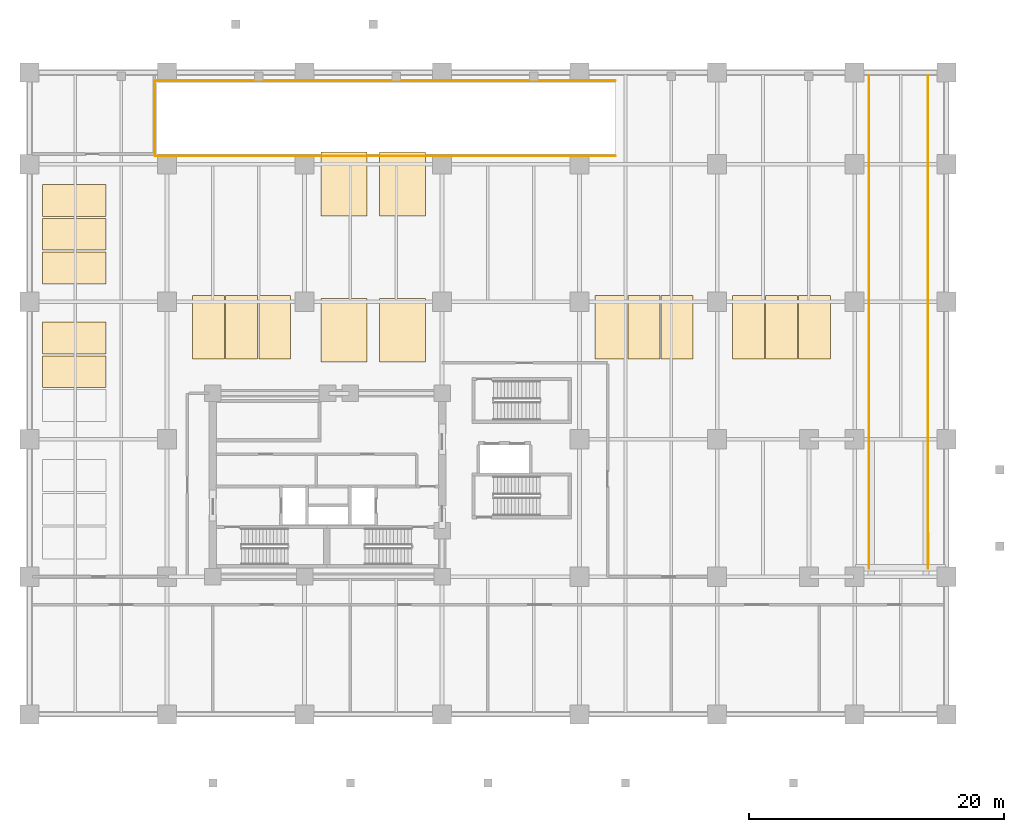
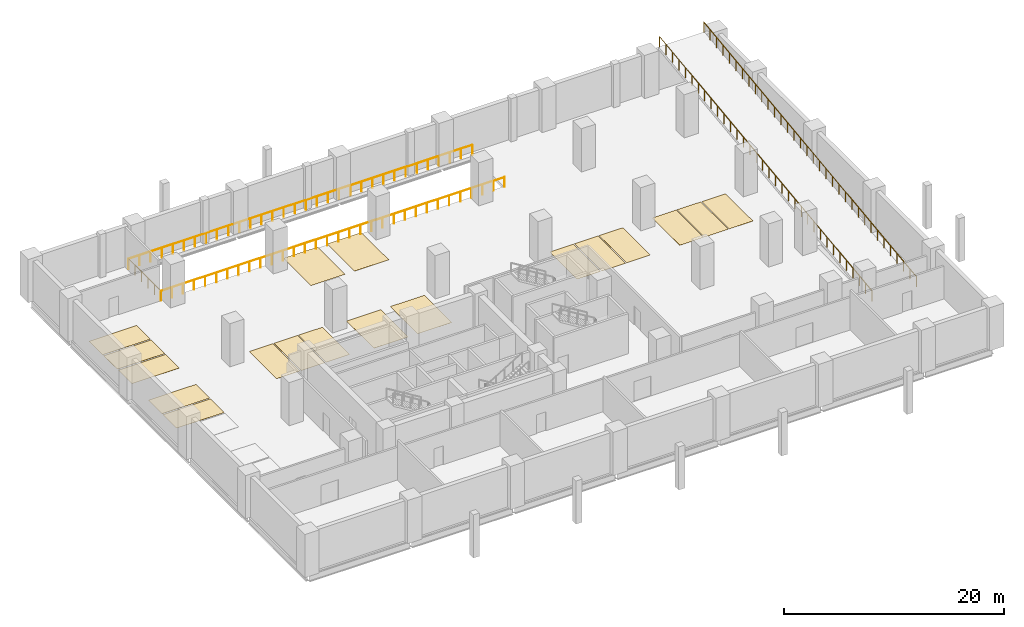
# One storey, part 8 of 8: 18 coverings, 5 railings.
"""IFC4 building model written with IfcOpenShell, lengths in metres."""

from ifc_helpers import new_model, si_unit, direction, frame, origin, origin_2d, place, context, subcontext, project, spatial, polyline, circle, outline, extrude, material, layer, layer_set, type_object, element, save


model = new_model("IFC4")

# Units and contexts
model_context = context("Model", 3, precision=1e-05, world=origin(), true_north=direction((0.0, 1.0)))
body_context = subcontext(model_context, "Body", "Model", "MODEL_VIEW")
ifc_project = project(units=[si_unit("LENGTHUNIT", "METRE"), si_unit("AREAUNIT", "SQUARE_METRE"), si_unit("VOLUMEUNIT", "CUBIC_METRE"), si_unit("PLANEANGLEUNIT", "RADIAN"), si_unit("MASSUNIT", "GRAM", prefix="KILO")], contexts=[model_context])

# Site, building, storey
site_placement = place(None, origin())
site = spatial("IfcSite", under=ifc_project, at=site_placement, CompositionType="ELEMENT")
building_placement = place(site_placement, origin())
building = spatial("IfcBuilding", under=site, at=building_placement, Name="Solnavia Interchange Tower", CompositionType="ELEMENT")
storey_placement = place(building_placement, frame((0.0, 0.0, -4.800048828125)))
storey = spatial("IfcBuildingStorey", under=building, at=storey_placement, Name="B01", CompositionType="ELEMENT", Elevation=-4.800048828125)

# Coverings
ifc_material_1 = material(Name="Epoxy Accessible Bay Marking", Category="polymer")
ifc_layer_1 = layer(ifc_material_1, 0.0048828125)
ifc_layer_set_1 = layer_set([ifc_layer_1], Name="Epoxy Accessible Bay Marking")
covering_type_1 = type_object("IfcCoveringType", Name="Covering-AccessibleBay-5", PredefinedType="FLOORING", material=ifc_layer_set_1)
covering_1_placement = place(storey_placement, origin())
element("IfcCovering", 1, at=covering_1_placement, inside=storey, type_object=covering_type_1, Name="PKA-B01-A01 Accessible parking bay", PredefinedType="FLOORING", context=body_context, shape_type="SweptSolid", body=[
    extrude(outline(polyline([(22.89990234375, 27.64990234375), (26.5, 27.64990234375), (26.5, 32.64990234375), (22.89990234375, 32.64990234375), (22.89990234375, 27.64990234375)])), origin(), (0.0, 0.0, 1.0), 0.005126953125),
])
covering_2_placement = place(storey_placement, origin())
element("IfcCovering", 2, at=covering_2_placement, inside=storey, type_object=covering_type_1, Name="PKA-B01-A02 Accessible parking bay", PredefinedType="FLOORING", context=body_context, shape_type="SweptSolid", body=[
    extrude(outline(polyline([(27.5, 27.64990234375), (31.10009765625, 27.64990234375), (31.10009765625, 32.64990234375), (27.5, 32.64990234375), (27.5, 27.64990234375)])), origin(), (0.0, 0.0, 1.0), 0.005126953125),
])
covering_3_placement = place(storey_placement, origin())
element("IfcCovering", 3, at=covering_3_placement, inside=storey, type_object=covering_type_1, Name="PKA-B01-A03 Accessible parking bay", PredefinedType="FLOORING", context=body_context, shape_type="SweptSolid", body=[
    extrude(outline(polyline([(22.89990234375, 39.14990234375), (26.5, 39.14990234375), (26.5, 44.14990234375), (22.89990234375, 44.14990234375), (22.89990234375, 39.14990234375)])), origin(), (0.0, 0.0, 1.0), 0.005126953125),
])
covering_4_placement = place(storey_placement, origin())
element("IfcCovering", 4, at=covering_4_placement, inside=storey, type_object=covering_type_1, Name="PKA-B01-A04 Accessible parking bay", PredefinedType="FLOORING", context=body_context, shape_type="SweptSolid", body=[
    extrude(outline(polyline([(27.5, 39.14990234375), (31.10009765625, 39.14990234375), (31.10009765625, 44.14990234375), (27.5, 44.14990234375), (27.5, 39.14990234375)])), origin(), (0.0, 0.0, 1.0), 0.005126953125),
])
ifc_material_2 = material(Name="Epoxy Car Park Bay Marking", Category="polymer")
ifc_layer_2 = layer(ifc_material_2, 0.0048828125)
ifc_layer_set_2 = layer_set([ifc_layer_2], Name="Epoxy Car Park Bay Marking")
covering_type_2 = type_object("IfcCoveringType", Name="Covering-ParkingBay-5", PredefinedType="FLOORING", material=ifc_layer_set_2)
covering_5_placement = place(storey_placement, origin())
element("IfcCovering", 5, at=covering_5_placement, inside=storey, type_object=covering_type_2, Name="PKB-B01-N01 Standard parking bay", PredefinedType="FLOORING", context=body_context, shape_type="SweptSolid", body=[
    extrude(outline(polyline([(12.800048828125, 27.89990234375), (15.300048828125, 27.89990234375), (15.300048828125, 32.89990234375), (12.800048828125, 32.89990234375), (12.800048828125, 27.89990234375)])), origin(), (0.0, 0.0, 1.0), 0.005126953125),
])
covering_6_placement = place(storey_placement, origin())
element("IfcCovering", 6, at=covering_6_placement, inside=storey, type_object=covering_type_2, Name="PKB-B01-N02 Standard parking bay", PredefinedType="FLOORING", context=body_context, shape_type="SweptSolid", body=[
    extrude(outline(polyline([(15.39990234375, 27.89990234375), (17.89990234375, 27.89990234375), (17.89990234375, 32.89990234375), (15.39990234375, 32.89990234375), (15.39990234375, 27.89990234375)])), origin(), (0.0, 0.0, 1.0), 0.005126953125),
])
covering_7_placement = place(storey_placement, origin())
element("IfcCovering", 7, at=covering_7_placement, inside=storey, type_object=covering_type_2, Name="PKB-B01-N03 Standard parking bay", PredefinedType="FLOORING", context=body_context, shape_type="SweptSolid", body=[
    extrude(outline(polyline([(18.0, 27.89990234375), (20.5, 27.89990234375), (20.5, 32.89990234375), (18.0, 32.89990234375), (18.0, 27.89990234375)])), origin(), (0.0, 0.0, 1.0), 0.005126953125),
])
covering_8_placement = place(storey_placement, origin())
element("IfcCovering", 8, at=covering_8_placement, inside=storey, type_object=covering_type_2, Name="PKB-B01-N04 Standard parking bay", PredefinedType="FLOORING", context=body_context, shape_type="SweptSolid", body=[
    extrude(outline(polyline([(44.39990234375, 27.89990234375), (46.89990234375, 27.89990234375), (46.89990234375, 32.89990234375), (44.39990234375, 32.89990234375), (44.39990234375, 27.89990234375)])), origin(), (0.0, 0.0, 1.0), 0.005126953125),
])
covering_9_placement = place(storey_placement, origin())
element("IfcCovering", 9, at=covering_9_placement, inside=storey, type_object=covering_type_2, Name="PKB-B01-N05 Standard parking bay", PredefinedType="FLOORING", context=body_context, shape_type="SweptSolid", body=[
    extrude(outline(polyline([(47.0, 27.89990234375), (49.5, 27.89990234375), (49.5, 32.89990234375), (47.0, 32.89990234375), (47.0, 27.89990234375)])), origin(), (0.0, 0.0, 1.0), 0.005126953125),
])
covering_10_placement = place(storey_placement, origin())
element("IfcCovering", 10, at=covering_10_placement, inside=storey, type_object=covering_type_2, Name="PKB-B01-N06 Standard parking bay", PredefinedType="FLOORING", context=body_context, shape_type="SweptSolid", body=[
    extrude(outline(polyline([(49.60009765625, 27.89990234375), (52.10009765625, 27.89990234375), (52.10009765625, 32.89990234375), (49.60009765625, 32.89990234375), (49.60009765625, 27.89990234375)])), origin(), (0.0, 0.0, 1.0), 0.005126953125),
])
covering_11_placement = place(storey_placement, origin())
element("IfcCovering", 11, at=covering_11_placement, inside=storey, type_object=covering_type_2, Name="PKB-B01-N07 Standard parking bay", PredefinedType="FLOORING", context=body_context, shape_type="SweptSolid", body=[
    extrude(outline(polyline([(55.199951171875, 27.89990234375), (57.699951171875, 27.89990234375), (57.699951171875, 32.89990234375), (55.199951171875, 32.89990234375), (55.199951171875, 27.89990234375)])), origin(), (0.0, 0.0, 1.0), 0.005126953125),
])
covering_12_placement = place(storey_placement, origin())
element("IfcCovering", 12, at=covering_12_placement, inside=storey, type_object=covering_type_2, Name="PKB-B01-N08 Standard parking bay", PredefinedType="FLOORING", context=body_context, shape_type="SweptSolid", body=[
    extrude(outline(polyline([(57.800048828125, 27.89990234375), (60.300048828125, 27.89990234375), (60.300048828125, 32.89990234375), (57.800048828125, 32.89990234375), (57.800048828125, 27.89990234375)])), origin(), (0.0, 0.0, 1.0), 0.005126953125),
])
covering_13_placement = place(storey_placement, origin())
element("IfcCovering", 13, at=covering_13_placement, inside=storey, type_object=covering_type_2, Name="PKB-B01-N09 Standard parking bay", PredefinedType="FLOORING", context=body_context, shape_type="SweptSolid", body=[
    extrude(outline(polyline([(60.39990234375, 27.89990234375), (62.89990234375, 27.89990234375), (62.89990234375, 32.89990234375), (60.39990234375, 32.89990234375), (60.39990234375, 27.89990234375)])), origin(), (0.0, 0.0, 1.0), 0.005126953125),
])
covering_14_placement = place(storey_placement, origin())
element("IfcCovering", 14, at=covering_14_placement, inside=storey, type_object=covering_type_2, Name="PKB-B01-W05 Standard parking bay", PredefinedType="FLOORING", context=body_context, shape_type="SweptSolid", body=[
    extrude(outline(polyline([(1.0, 25.64990234375), (6.0, 25.64990234375), (6.0, 28.14990234375), (1.0, 28.14990234375), (1.0, 25.64990234375)])), origin(), (0.0, 0.0, 1.0), 0.005126953125),
])
covering_15_placement = place(storey_placement, origin())
element("IfcCovering", 15, at=covering_15_placement, inside=storey, type_object=covering_type_2, Name="PKB-B01-W06 Standard parking bay", PredefinedType="FLOORING", context=body_context, shape_type="SweptSolid", body=[
    extrude(outline(polyline([(1.0, 28.300048828125), (6.0, 28.300048828125), (6.0, 30.800048828125), (1.0, 30.800048828125), (1.0, 28.300048828125)])), origin(), (0.0, 0.0, 1.0), 0.005126953125),
])
covering_16_placement = place(storey_placement, origin())
element("IfcCovering", 16, at=covering_16_placement, inside=storey, type_object=covering_type_2, Name="PKB-B01-W07 Standard parking bay", PredefinedType="FLOORING", context=body_context, shape_type="SweptSolid", body=[
    extrude(outline(polyline([(1.0, 33.800048828125), (6.0, 33.800048828125), (6.0, 36.300048828125), (1.0, 36.300048828125), (1.0, 33.800048828125)])), origin(), (0.0, 0.0, 1.0), 0.005126953125),
])
covering_17_placement = place(storey_placement, origin())
element("IfcCovering", 17, at=covering_17_placement, inside=storey, type_object=covering_type_2, Name="PKB-B01-W08 Standard parking bay", PredefinedType="FLOORING", context=body_context, shape_type="SweptSolid", body=[
    extrude(outline(polyline([(1.0, 36.449951171875), (6.0, 36.449951171875), (6.0, 38.949951171875), (1.0, 38.949951171875), (1.0, 36.449951171875)])), origin(), (0.0, 0.0, 1.0), 0.005126953125),
])
covering_18_placement = place(storey_placement, origin())
element("IfcCovering", 18, at=covering_18_placement, inside=storey, type_object=covering_type_2, Name="PKB-B01-W09 Standard parking bay", PredefinedType="FLOORING", context=body_context, shape_type="SweptSolid", body=[
    extrude(outline(polyline([(1.0, 39.10009765625), (6.0, 39.10009765625), (6.0, 41.60009765625), (1.0, 41.60009765625), (1.0, 39.10009765625)])), origin(), (0.0, 0.0, 1.0), 0.005126953125),
])

# Railings
ifc_material_3 = material(Name="Laminated Safety Glass & Stainless Steel", Category="steel")
railing_type = type_object("IfcRailingType", Name="Railing-TerraceGuard-1150", PredefinedType="GUARDRAIL", material=ifc_material_3)
railing_1_placement = place(storey_placement, frame((9.85009765625, 43.85009765625, 0.0)))
element("IfcRailing", 19, at=railing_1_placement, inside=storey, type_object=railing_type, Name="GRD-B01-RMP1-01 Perimeter terrace guardrail", PredefinedType="GUARDRAIL", context=body_context, shape_type="SweptSolid", body=[
    extrude(circle(Radius=0.02392578125, at=origin_2d()), frame((0.0, 0.0, 1.1259765625), z_axis=(0.0, 1.0, 0.0), x_axis=(-1.0, 0.0, 0.0)), (0.0, 0.0, 1.0), 5.89990234375),
    extrude(circle(Radius=0.02099609375, at=origin_2d()), origin(), (0.0, 0.0, 1.0), 1.101806640625),
    extrude(circle(Radius=0.02099609375, at=origin_2d()), frame((0.0, 1.179931640625, 0.0)), (0.0, 0.0, 1.0), 1.101806640625),
    extrude(circle(Radius=0.02099609375, at=origin_2d()), frame((0.0, 2.35986328125, 0.0)), (0.0, 0.0, 1.0), 1.101806640625),
    extrude(circle(Radius=0.02099609375, at=origin_2d()), frame((0.0, 3.5400390625, 0.0)), (0.0, 0.0, 1.0), 1.101806640625),
    extrude(circle(Radius=0.02099609375, at=origin_2d()), frame((0.0, 4.719970703125, 0.0)), (0.0, 0.0, 1.0), 1.101806640625),
    extrude(circle(Radius=0.02099609375, at=origin_2d()), frame((0.0, 5.89990234375, 0.0)), (0.0, 0.0, 1.0), 1.101806640625),
])
railing_2_placement = place(storey_placement, frame((9.85009765625, 49.75, 0.0)))
element("IfcRailing", 20, at=railing_2_placement, inside=storey, type_object=railing_type, Name="GRD-B01-RMP1-02 Perimeter terrace guardrail", PredefinedType="GUARDRAIL", context=body_context, shape_type="SweptSolid", body=[
    extrude(circle(Radius=0.02392578125, at=origin_2d()), frame((0.0, 0.0, 1.1259765625), z_axis=(1.0, 0.0, 0.0), x_axis=(0.0, 1.0, 0.0)), (0.0, 0.0, 1.0), 36.14990234375),
    extrude(circle(Radius=0.02099609375, at=origin_2d()), origin(), (0.0, 0.0, 1.0), 1.101806640625),
    extrude(circle(Radius=0.02099609375, at=origin_2d()), frame((1.166015625, 0.0, 0.0)), (0.0, 0.0, 1.0), 1.101806640625),
    extrude(circle(Radius=0.02099609375, at=origin_2d()), frame((2.332275390625, 0.0, 0.0)), (0.0, 0.0, 1.0), 1.101806640625),
    extrude(circle(Radius=0.02099609375, at=origin_2d()), frame((3.498291015625, 0.0, 0.0)), (0.0, 0.0, 1.0), 1.101806640625),
    extrude(circle(Radius=0.02099609375, at=origin_2d()), frame((4.66455078125, 0.0, 0.0)), (0.0, 0.0, 1.0), 1.101806640625),
    extrude(circle(Radius=0.02099609375, at=origin_2d()), frame((5.83056640625, 0.0, 0.0)), (0.0, 0.0, 1.0), 1.101806640625),
    extrude(circle(Radius=0.02099609375, at=origin_2d()), frame((6.996826171875, 0.0, 0.0)), (0.0, 0.0, 1.0), 1.101806640625),
    extrude(circle(Radius=0.02099609375, at=origin_2d()), frame((8.162841796875, 0.0, 0.0)), (0.0, 0.0, 1.0), 1.101806640625),
    extrude(circle(Radius=0.02099609375, at=origin_2d()), frame((9.3291015625, 0.0, 0.0)), (0.0, 0.0, 1.0), 1.101806640625),
    extrude(circle(Radius=0.02099609375, at=origin_2d()), frame((10.4951171875, 0.0, 0.0)), (0.0, 0.0, 1.0), 1.101806640625),
    extrude(circle(Radius=0.02099609375, at=origin_2d()), frame((11.661376953125, 0.0, 0.0)), (0.0, 0.0, 1.0), 1.101806640625),
    extrude(circle(Radius=0.02099609375, at=origin_2d()), frame((12.827392578125, 0.0, 0.0)), (0.0, 0.0, 1.0), 1.101806640625),
    extrude(circle(Radius=0.02099609375, at=origin_2d()), frame((13.993408203125, 0.0, 0.0)), (0.0, 0.0, 1.0), 1.101806640625),
    extrude(circle(Radius=0.02099609375, at=origin_2d()), frame((15.15966796875, 0.0, 0.0)), (0.0, 0.0, 1.0), 1.101806640625),
    extrude(circle(Radius=0.02099609375, at=origin_2d()), frame((16.32568359375, 0.0, 0.0)), (0.0, 0.0, 1.0), 1.101806640625),
    extrude(circle(Radius=0.02099609375, at=origin_2d()), frame((17.491943359375, 0.0, 0.0)), (0.0, 0.0, 1.0), 1.101806640625),
    extrude(circle(Radius=0.02099609375, at=origin_2d()), frame((18.657958984375, 0.0, 0.0)), (0.0, 0.0, 1.0), 1.101806640625),
    extrude(circle(Radius=0.02099609375, at=origin_2d()), frame((19.82421875, 0.0, 0.0)), (0.0, 0.0, 1.0), 1.101806640625),
    extrude(circle(Radius=0.02099609375, at=origin_2d()), frame((20.990234375, 0.0, 0.0)), (0.0, 0.0, 1.0), 1.101806640625),
    extrude(circle(Radius=0.02099609375, at=origin_2d()), frame((22.156494140625, 0.0, 0.0)), (0.0, 0.0, 1.0), 1.101806640625),
    extrude(circle(Radius=0.02099609375, at=origin_2d()), frame((23.322509765625, 0.0, 0.0)), (0.0, 0.0, 1.0), 1.101806640625),
    extrude(circle(Radius=0.02099609375, at=origin_2d()), frame((24.488525390625, 0.0, 0.0)), (0.0, 0.0, 1.0), 1.101806640625),
    extrude(circle(Radius=0.02099609375, at=origin_2d()), frame((25.65478515625, 0.0, 0.0)), (0.0, 0.0, 1.0), 1.101806640625),
    extrude(circle(Radius=0.02099609375, at=origin_2d()), frame((26.82080078125, 0.0, 0.0)), (0.0, 0.0, 1.0), 1.101806640625),
    extrude(circle(Radius=0.02099609375, at=origin_2d()), frame((27.987060546875, 0.0, 0.0)), (0.0, 0.0, 1.0), 1.101806640625),
    extrude(circle(Radius=0.02099609375, at=origin_2d()), frame((29.153076171875, 0.0, 0.0)), (0.0, 0.0, 1.0), 1.101806640625),
    extrude(circle(Radius=0.02099609375, at=origin_2d()), frame((30.3193359375, 0.0, 0.0)), (0.0, 0.0, 1.0), 1.101806640625),
    extrude(circle(Radius=0.02099609375, at=origin_2d()), frame((31.4853515625, 0.0, 0.0)), (0.0, 0.0, 1.0), 1.101806640625),
    extrude(circle(Radius=0.02099609375, at=origin_2d()), frame((32.651611328125, 0.0, 0.0)), (0.0, 0.0, 1.0), 1.101806640625),
    extrude(circle(Radius=0.02099609375, at=origin_2d()), frame((33.817626953125, 0.0, 0.0)), (0.0, 0.0, 1.0), 1.101806640625),
    extrude(circle(Radius=0.02099609375, at=origin_2d()), frame((34.98388671875, 0.0, 0.0)), (0.0, 0.0, 1.0), 1.101806640625),
    extrude(circle(Radius=0.02099609375, at=origin_2d()), frame((36.14990234375, 0.0, 0.0)), (0.0, 0.0, 1.0), 1.101806640625),
])
railing_3_placement = place(storey_placement, frame((9.85009765625, 43.85009765625, 0.0)))
element("IfcRailing", 21, at=railing_3_placement, inside=storey, type_object=railing_type, Name="GRD-B01-RMP2-01 Perimeter terrace guardrail", PredefinedType="GUARDRAIL", context=body_context, shape_type="SweptSolid", body=[
    extrude(circle(Radius=0.02392578125, at=origin_2d()), frame((0.0, 0.0, 1.1259765625), z_axis=(1.0, 0.0, 0.0), x_axis=(0.0, 1.0, 0.0)), (0.0, 0.0, 1.0), 36.14990234375),
    extrude(circle(Radius=0.02099609375, at=origin_2d()), origin(), (0.0, 0.0, 1.0), 1.101806640625),
    extrude(circle(Radius=0.02099609375, at=origin_2d()), frame((1.166015625, 0.0, 0.0)), (0.0, 0.0, 1.0), 1.101806640625),
    extrude(circle(Radius=0.02099609375, at=origin_2d()), frame((2.332275390625, 0.0, 0.0)), (0.0, 0.0, 1.0), 1.101806640625),
    extrude(circle(Radius=0.02099609375, at=origin_2d()), frame((3.498291015625, 0.0, 0.0)), (0.0, 0.0, 1.0), 1.101806640625),
    extrude(circle(Radius=0.02099609375, at=origin_2d()), frame((4.66455078125, 0.0, 0.0)), (0.0, 0.0, 1.0), 1.101806640625),
    extrude(circle(Radius=0.02099609375, at=origin_2d()), frame((5.83056640625, 0.0, 0.0)), (0.0, 0.0, 1.0), 1.101806640625),
    extrude(circle(Radius=0.02099609375, at=origin_2d()), frame((6.996826171875, 0.0, 0.0)), (0.0, 0.0, 1.0), 1.101806640625),
    extrude(circle(Radius=0.02099609375, at=origin_2d()), frame((8.162841796875, 0.0, 0.0)), (0.0, 0.0, 1.0), 1.101806640625),
    extrude(circle(Radius=0.02099609375, at=origin_2d()), frame((9.3291015625, 0.0, 0.0)), (0.0, 0.0, 1.0), 1.101806640625),
    extrude(circle(Radius=0.02099609375, at=origin_2d()), frame((10.4951171875, 0.0, 0.0)), (0.0, 0.0, 1.0), 1.101806640625),
    extrude(circle(Radius=0.02099609375, at=origin_2d()), frame((11.661376953125, 0.0, 0.0)), (0.0, 0.0, 1.0), 1.101806640625),
    extrude(circle(Radius=0.02099609375, at=origin_2d()), frame((12.827392578125, 0.0, 0.0)), (0.0, 0.0, 1.0), 1.101806640625),
    extrude(circle(Radius=0.02099609375, at=origin_2d()), frame((13.993408203125, 0.0, 0.0)), (0.0, 0.0, 1.0), 1.101806640625),
    extrude(circle(Radius=0.02099609375, at=origin_2d()), frame((15.15966796875, 0.0, 0.0)), (0.0, 0.0, 1.0), 1.101806640625),
    extrude(circle(Radius=0.02099609375, at=origin_2d()), frame((16.32568359375, 0.0, 0.0)), (0.0, 0.0, 1.0), 1.101806640625),
    extrude(circle(Radius=0.02099609375, at=origin_2d()), frame((17.491943359375, 0.0, 0.0)), (0.0, 0.0, 1.0), 1.101806640625),
    extrude(circle(Radius=0.02099609375, at=origin_2d()), frame((18.657958984375, 0.0, 0.0)), (0.0, 0.0, 1.0), 1.101806640625),
    extrude(circle(Radius=0.02099609375, at=origin_2d()), frame((19.82421875, 0.0, 0.0)), (0.0, 0.0, 1.0), 1.101806640625),
    extrude(circle(Radius=0.02099609375, at=origin_2d()), frame((20.990234375, 0.0, 0.0)), (0.0, 0.0, 1.0), 1.101806640625),
    extrude(circle(Radius=0.02099609375, at=origin_2d()), frame((22.156494140625, 0.0, 0.0)), (0.0, 0.0, 1.0), 1.101806640625),
    extrude(circle(Radius=0.02099609375, at=origin_2d()), frame((23.322509765625, 0.0, 0.0)), (0.0, 0.0, 1.0), 1.101806640625),
    extrude(circle(Radius=0.02099609375, at=origin_2d()), frame((24.488525390625, 0.0, 0.0)), (0.0, 0.0, 1.0), 1.101806640625),
    extrude(circle(Radius=0.02099609375, at=origin_2d()), frame((25.65478515625, 0.0, 0.0)), (0.0, 0.0, 1.0), 1.101806640625),
    extrude(circle(Radius=0.02099609375, at=origin_2d()), frame((26.82080078125, 0.0, 0.0)), (0.0, 0.0, 1.0), 1.101806640625),
    extrude(circle(Radius=0.02099609375, at=origin_2d()), frame((27.987060546875, 0.0, 0.0)), (0.0, 0.0, 1.0), 1.101806640625),
    extrude(circle(Radius=0.02099609375, at=origin_2d()), frame((29.153076171875, 0.0, 0.0)), (0.0, 0.0, 1.0), 1.101806640625),
    extrude(circle(Radius=0.02099609375, at=origin_2d()), frame((30.3193359375, 0.0, 0.0)), (0.0, 0.0, 1.0), 1.101806640625),
    extrude(circle(Radius=0.02099609375, at=origin_2d()), frame((31.4853515625, 0.0, 0.0)), (0.0, 0.0, 1.0), 1.101806640625),
    extrude(circle(Radius=0.02099609375, at=origin_2d()), frame((32.651611328125, 0.0, 0.0)), (0.0, 0.0, 1.0), 1.101806640625),
    extrude(circle(Radius=0.02099609375, at=origin_2d()), frame((33.817626953125, 0.0, 0.0)), (0.0, 0.0, 1.0), 1.101806640625),
    extrude(circle(Radius=0.02099609375, at=origin_2d()), frame((34.98388671875, 0.0, 0.0)), (0.0, 0.0, 1.0), 1.101806640625),
    extrude(circle(Radius=0.02099609375, at=origin_2d()), frame((36.14990234375, 0.0, 0.0)), (0.0, 0.0, 1.0), 1.101806640625),
])
railing_4_placement = place(storey_placement, frame((65.929931640625, 11.449951171875, 0.0)))
element("IfcRailing", 22, at=railing_4_placement, inside=storey, type_object=railing_type, Name="GRD-B01-V2W Exit ramp west side guard", PredefinedType="GUARDRAIL", context=body_context, shape_type="SweptSolid", body=[
    extrude(circle(Radius=0.02392578125, at=origin_2d()), frame((0.0, 0.0, 1.1259765625), z_axis=(0.0, 0.992395606763, 0.123089234612), x_axis=(-1.0, 0.0, 0.0)), (0.0, 0.0, 1.0), 38.99658203125),
    extrude(circle(Radius=0.02099609375, at=origin_2d()), origin(), (0.0, 0.0, 1.0), 1.101806640625),
    extrude(circle(Radius=0.02099609375, at=origin_2d()), frame((0.0, 1.172607421875, 0.1455078125)), (0.0, 0.0, 1.0), 1.101806640625),
    extrude(circle(Radius=0.02099609375, at=origin_2d()), frame((0.0, 2.345458984375, 0.291015625)), (0.0, 0.0, 1.0), 1.101806640625),
    extrude(circle(Radius=0.02099609375, at=origin_2d()), frame((0.0, 3.51806640625, 0.436279296875)), (0.0, 0.0, 1.0), 1.101806640625),
    extrude(circle(Radius=0.02099609375, at=origin_2d()), frame((0.0, 4.69091796875, 0.581787109375)), (0.0, 0.0, 1.0), 1.101806640625),
    extrude(circle(Radius=0.02099609375, at=origin_2d()), frame((0.0, 5.863525390625, 0.727294921875)), (0.0, 0.0, 1.0), 1.101806640625),
    extrude(circle(Radius=0.02099609375, at=origin_2d()), frame((0.0, 7.036376953125, 0.872802734375)), (0.0, 0.0, 1.0), 1.101806640625),
    extrude(circle(Radius=0.02099609375, at=origin_2d()), frame((0.0, 8.208984375, 1.018310546875)), (0.0, 0.0, 1.0), 1.101806640625),
    extrude(circle(Radius=0.02099609375, at=origin_2d()), frame((0.0, 9.3818359375, 1.16357421875)), (0.0, 0.0, 1.0), 1.101806640625),
    extrude(circle(Radius=0.02099609375, at=origin_2d()), frame((0.0, 10.554443359375, 1.30908203125)), (0.0, 0.0, 1.0), 1.101806640625),
    extrude(circle(Radius=0.02099609375, at=origin_2d()), frame((0.0, 11.727294921875, 1.45458984375)), (0.0, 0.0, 1.0), 1.101806640625),
    extrude(circle(Radius=0.02099609375, at=origin_2d()), frame((0.0, 12.89990234375, 1.60009765625)), (0.0, 0.0, 1.0), 1.101806640625),
    extrude(circle(Radius=0.02099609375, at=origin_2d()), frame((0.0, 14.07275390625, 1.745361328125)), (0.0, 0.0, 1.0), 1.101806640625),
    extrude(circle(Radius=0.02099609375, at=origin_2d()), frame((0.0, 15.245361328125, 1.890869140625)), (0.0, 0.0, 1.0), 1.101806640625),
    extrude(circle(Radius=0.02099609375, at=origin_2d()), frame((0.0, 16.418212890625, 2.036376953125)), (0.0, 0.0, 1.0), 1.101806640625),
    extrude(circle(Radius=0.02099609375, at=origin_2d()), frame((0.0, 17.5908203125, 2.181884765625)), (0.0, 0.0, 1.0), 1.101806640625),
    extrude(circle(Radius=0.02099609375, at=origin_2d()), frame((0.0, 18.763671875, 2.327392578125)), (0.0, 0.0, 1.0), 1.101806640625),
    extrude(circle(Radius=0.02099609375, at=origin_2d()), frame((0.0, 19.936279296875, 2.47265625)), (0.0, 0.0, 1.0), 1.101806640625),
    extrude(circle(Radius=0.02099609375, at=origin_2d()), frame((0.0, 21.109130859375, 2.6181640625)), (0.0, 0.0, 1.0), 1.101806640625),
    extrude(circle(Radius=0.02099609375, at=origin_2d()), frame((0.0, 22.28173828125, 2.763671875)), (0.0, 0.0, 1.0), 1.101806640625),
    extrude(circle(Radius=0.02099609375, at=origin_2d()), frame((0.0, 23.45458984375, 2.9091796875)), (0.0, 0.0, 1.0), 1.101806640625),
    extrude(circle(Radius=0.02099609375, at=origin_2d()), frame((0.0, 24.627197265625, 3.0546875)), (0.0, 0.0, 1.0), 1.101806640625),
    extrude(circle(Radius=0.02099609375, at=origin_2d()), frame((0.0, 25.800048828125, 3.199951171875)), (0.0, 0.0, 1.0), 1.101806640625),
    extrude(circle(Radius=0.02099609375, at=origin_2d()), frame((0.0, 26.97265625, 3.345458984375)), (0.0, 0.0, 1.0), 1.101806640625),
    extrude(circle(Radius=0.02099609375, at=origin_2d()), frame((0.0, 28.1455078125, 3.490966796875)), (0.0, 0.0, 1.0), 1.101806640625),
    extrude(circle(Radius=0.02099609375, at=origin_2d()), frame((0.0, 29.318115234375, 3.636474609375)), (0.0, 0.0, 1.0), 1.101806640625),
    extrude(circle(Radius=0.02099609375, at=origin_2d()), frame((0.0, 30.490966796875, 3.78173828125)), (0.0, 0.0, 1.0), 1.101806640625),
    extrude(circle(Radius=0.02099609375, at=origin_2d()), frame((0.0, 31.66357421875, 3.92724609375)), (0.0, 0.0, 1.0), 1.101806640625),
    extrude(circle(Radius=0.02099609375, at=origin_2d()), frame((0.0, 32.83642578125, 4.07275390625)), (0.0, 0.0, 1.0), 1.101806640625),
    extrude(circle(Radius=0.02099609375, at=origin_2d()), frame((0.0, 34.009033203125, 4.21826171875)), (0.0, 0.0, 1.0), 1.101806640625),
    extrude(circle(Radius=0.02099609375, at=origin_2d()), frame((0.0, 35.181884765625, 4.36376953125)), (0.0, 0.0, 1.0), 1.101806640625),
    extrude(circle(Radius=0.02099609375, at=origin_2d()), frame((0.0, 36.3544921875, 4.509033203125)), (0.0, 0.0, 1.0), 1.101806640625),
    extrude(circle(Radius=0.02099609375, at=origin_2d()), frame((0.0, 37.52734375, 4.654541015625)), (0.0, 0.0, 1.0), 1.101806640625),
    extrude(circle(Radius=0.02099609375, at=origin_2d()), frame((0.0, 38.699951171875, 4.800048828125)), (0.0, 0.0, 1.0), 1.101806640625),
])
railing_5_placement = place(storey_placement, frame((70.570068359375, 11.449951171875, 0.0)))
element("IfcRailing", 23, at=railing_5_placement, inside=storey, type_object=railing_type, Name="GRD-B01-V2E Exit ramp east side guard", PredefinedType="GUARDRAIL", context=body_context, shape_type="SweptSolid", body=[
    extrude(circle(Radius=0.02392578125, at=origin_2d()), frame((0.0, 0.0, 1.1259765625), z_axis=(0.0, 0.992395606763, 0.123089234612), x_axis=(-1.0, 0.0, 0.0)), (0.0, 0.0, 1.0), 38.99658203125),
    extrude(circle(Radius=0.02099609375, at=origin_2d()), origin(), (0.0, 0.0, 1.0), 1.101806640625),
    extrude(circle(Radius=0.02099609375, at=origin_2d()), frame((0.0, 1.172607421875, 0.1455078125)), (0.0, 0.0, 1.0), 1.101806640625),
    extrude(circle(Radius=0.02099609375, at=origin_2d()), frame((0.0, 2.345458984375, 0.291015625)), (0.0, 0.0, 1.0), 1.101806640625),
    extrude(circle(Radius=0.02099609375, at=origin_2d()), frame((0.0, 3.51806640625, 0.436279296875)), (0.0, 0.0, 1.0), 1.101806640625),
    extrude(circle(Radius=0.02099609375, at=origin_2d()), frame((0.0, 4.69091796875, 0.581787109375)), (0.0, 0.0, 1.0), 1.101806640625),
    extrude(circle(Radius=0.02099609375, at=origin_2d()), frame((0.0, 5.863525390625, 0.727294921875)), (0.0, 0.0, 1.0), 1.101806640625),
    extrude(circle(Radius=0.02099609375, at=origin_2d()), frame((0.0, 7.036376953125, 0.872802734375)), (0.0, 0.0, 1.0), 1.101806640625),
    extrude(circle(Radius=0.02099609375, at=origin_2d()), frame((0.0, 8.208984375, 1.018310546875)), (0.0, 0.0, 1.0), 1.101806640625),
    extrude(circle(Radius=0.02099609375, at=origin_2d()), frame((0.0, 9.3818359375, 1.16357421875)), (0.0, 0.0, 1.0), 1.101806640625),
    extrude(circle(Radius=0.02099609375, at=origin_2d()), frame((0.0, 10.554443359375, 1.30908203125)), (0.0, 0.0, 1.0), 1.101806640625),
    extrude(circle(Radius=0.02099609375, at=origin_2d()), frame((0.0, 11.727294921875, 1.45458984375)), (0.0, 0.0, 1.0), 1.101806640625),
    extrude(circle(Radius=0.02099609375, at=origin_2d()), frame((0.0, 12.89990234375, 1.60009765625)), (0.0, 0.0, 1.0), 1.101806640625),
    extrude(circle(Radius=0.02099609375, at=origin_2d()), frame((0.0, 14.07275390625, 1.745361328125)), (0.0, 0.0, 1.0), 1.101806640625),
    extrude(circle(Radius=0.02099609375, at=origin_2d()), frame((0.0, 15.245361328125, 1.890869140625)), (0.0, 0.0, 1.0), 1.101806640625),
    extrude(circle(Radius=0.02099609375, at=origin_2d()), frame((0.0, 16.418212890625, 2.036376953125)), (0.0, 0.0, 1.0), 1.101806640625),
    extrude(circle(Radius=0.02099609375, at=origin_2d()), frame((0.0, 17.5908203125, 2.181884765625)), (0.0, 0.0, 1.0), 1.101806640625),
    extrude(circle(Radius=0.02099609375, at=origin_2d()), frame((0.0, 18.763671875, 2.327392578125)), (0.0, 0.0, 1.0), 1.101806640625),
    extrude(circle(Radius=0.02099609375, at=origin_2d()), frame((0.0, 19.936279296875, 2.47265625)), (0.0, 0.0, 1.0), 1.101806640625),
    extrude(circle(Radius=0.02099609375, at=origin_2d()), frame((0.0, 21.109130859375, 2.6181640625)), (0.0, 0.0, 1.0), 1.101806640625),
    extrude(circle(Radius=0.02099609375, at=origin_2d()), frame((0.0, 22.28173828125, 2.763671875)), (0.0, 0.0, 1.0), 1.101806640625),
    extrude(circle(Radius=0.02099609375, at=origin_2d()), frame((0.0, 23.45458984375, 2.9091796875)), (0.0, 0.0, 1.0), 1.101806640625),
    extrude(circle(Radius=0.02099609375, at=origin_2d()), frame((0.0, 24.627197265625, 3.0546875)), (0.0, 0.0, 1.0), 1.101806640625),
    extrude(circle(Radius=0.02099609375, at=origin_2d()), frame((0.0, 25.800048828125, 3.199951171875)), (0.0, 0.0, 1.0), 1.101806640625),
    extrude(circle(Radius=0.02099609375, at=origin_2d()), frame((0.0, 26.97265625, 3.345458984375)), (0.0, 0.0, 1.0), 1.101806640625),
    extrude(circle(Radius=0.02099609375, at=origin_2d()), frame((0.0, 28.1455078125, 3.490966796875)), (0.0, 0.0, 1.0), 1.101806640625),
    extrude(circle(Radius=0.02099609375, at=origin_2d()), frame((0.0, 29.318115234375, 3.636474609375)), (0.0, 0.0, 1.0), 1.101806640625),
    extrude(circle(Radius=0.02099609375, at=origin_2d()), frame((0.0, 30.490966796875, 3.78173828125)), (0.0, 0.0, 1.0), 1.101806640625),
    extrude(circle(Radius=0.02099609375, at=origin_2d()), frame((0.0, 31.66357421875, 3.92724609375)), (0.0, 0.0, 1.0), 1.101806640625),
    extrude(circle(Radius=0.02099609375, at=origin_2d()), frame((0.0, 32.83642578125, 4.07275390625)), (0.0, 0.0, 1.0), 1.101806640625),
    extrude(circle(Radius=0.02099609375, at=origin_2d()), frame((0.0, 34.009033203125, 4.21826171875)), (0.0, 0.0, 1.0), 1.101806640625),
    extrude(circle(Radius=0.02099609375, at=origin_2d()), frame((0.0, 35.181884765625, 4.36376953125)), (0.0, 0.0, 1.0), 1.101806640625),
    extrude(circle(Radius=0.02099609375, at=origin_2d()), frame((0.0, 36.3544921875, 4.509033203125)), (0.0, 0.0, 1.0), 1.101806640625),
    extrude(circle(Radius=0.02099609375, at=origin_2d()), frame((0.0, 37.52734375, 4.654541015625)), (0.0, 0.0, 1.0), 1.101806640625),
    extrude(circle(Radius=0.02099609375, at=origin_2d()), frame((0.0, 38.699951171875, 4.800048828125)), (0.0, 0.0, 1.0), 1.101806640625),
])

save(model, "model.ifc")
